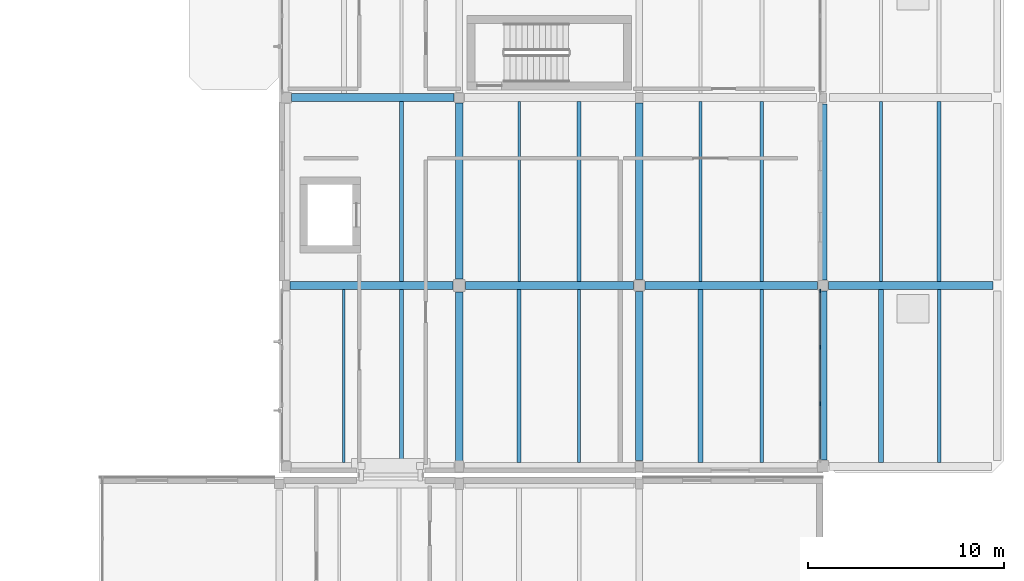
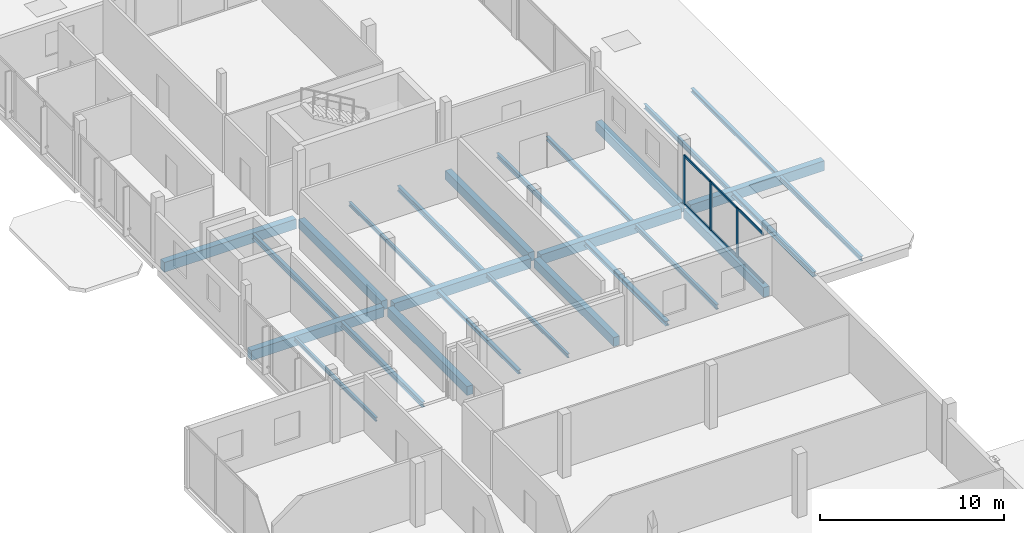
# One storey, part 28 of 66: 26 beams, 9 members, 1 element without a shape of its own.
"""IFC4 building model written with IfcOpenShell, lengths in metres."""

from ifc_helpers import new_model, si_unit, direction, frame, origin, origin_2d, place, context, subcontext, project, spatial, rectangle, i_section, extrude, material, layer, layer_set, material_profile, profile_set, type_object, element, aggregate, save


model = new_model("IFC4")

# Units and contexts
model_context = context("Model", 3, precision=1e-05, world=origin(), true_north=direction((0.0, 1.0)))
body_context = subcontext(model_context, "Body", "Model", "MODEL_VIEW")
ifc_project = project(units=[si_unit("LENGTHUNIT", "METRE"), si_unit("AREAUNIT", "SQUARE_METRE"), si_unit("VOLUMEUNIT", "CUBIC_METRE"), si_unit("PLANEANGLEUNIT", "RADIAN"), si_unit("MASSUNIT", "GRAM", prefix="KILO")], contexts=[model_context])

# Site, building, storey
site_placement = place(None, origin())
site = spatial("IfcSite", under=ifc_project, at=site_placement, CompositionType="ELEMENT")
building_placement = place(site_placement, origin())
building = spatial("IfcBuilding", under=site, at=building_placement, Name="Birchvale Park Specialist Clinic", CompositionType="ELEMENT")
storey_placement = place(building_placement, frame((0.0, 0.0, 5.39990234375)))
storey = spatial("IfcBuildingStorey", under=building, at=storey_placement, Name="L01", CompositionType="ELEMENT", Elevation=5.39990234375)

# Beams
ifc_material_1 = material(Name="Concrete C40/50", Category="concrete")
ifc_material_profile_1 = material_profile(ifc_material_1, rectangle(XDim=0.3798828125, YDim=0.639892578125, at=origin_2d()), Name="RCB-380x640")
ifc_profile_set_1 = profile_set([ifc_material_profile_1], Name="Concrete C40/50")
beam_type_1 = type_object("IfcBeamType", Name="BM-EXT-BG5", PredefinedType="BEAM", material=ifc_profile_set_1)
beam_1_placement = place(storey_placement, frame((155.800048828125, 64.264892578125, -0.619873046875), z_axis=(0.0, 1.0, 0.0), x_axis=(-1.0, 0.0, 0.0)))
element("IfcBeam", 1, at=beam_1_placement, inside=storey, type_object=beam_type_1, Name="V6 L01 Y girder 40", PredefinedType="BEAM", context=body_context, shape_type="SweptSolid", body=[
    extrude(rectangle(XDim=0.3798828125, YDim=0.639892578125, at=origin_2d()), origin(), (0.0, 0.0, 1.0), 8.66015625),
])
beam_2_placement = place(storey_placement, frame((155.800048828125, 73.47509765625, -0.619873046875), z_axis=(0.0, 1.0, 0.0), x_axis=(-1.0, 0.0, 0.0)))
element("IfcBeam", 2, at=beam_2_placement, inside=storey, type_object=beam_type_1, Name="V6 L01 Y girder 41", PredefinedType="BEAM", context=body_context, shape_type="SweptSolid", body=[
    extrude(rectangle(XDim=0.3798828125, YDim=0.639892578125, at=origin_2d()), origin(), (0.0, 0.0, 1.0), 9.0),
])
ifc_material_profile_2 = material_profile(ifc_material_1, rectangle(XDim=0.39990234375, YDim=0.64990234375, at=origin_2d()), Name="RCB-400x650")
ifc_profile_set_2 = profile_set([ifc_material_profile_2], Name="Concrete C40/50")
beam_type_2 = type_object("IfcBeamType", Name="BM-INT-BG4", PredefinedType="BEAM", material=ifc_profile_set_2)
beam_3_placement = place(storey_placement, frame((128.56005859375, 73.199951171875, -0.625), z_axis=(1.0, 0.0, 0.0), x_axis=(0.0, 1.0, 0.0)))
element("IfcBeam", 3, at=beam_3_placement, inside=storey, type_object=beam_type_2, Name="V6 L01 X girder 5", PredefinedType="BEAM", context=body_context, shape_type="SweptSolid", body=[
    extrude(rectangle(XDim=0.39990234375, YDim=0.64990234375, at=origin_2d()), origin(), (0.0, 0.0, 1.0), 8.31494140625),
])
beam_4_placement = place(storey_placement, frame((137.52490234375, 73.199951171875, -0.625), z_axis=(1.0, 0.0, 0.0), x_axis=(0.0, 1.0, 0.0)))
element("IfcBeam", 4, at=beam_4_placement, inside=storey, type_object=beam_type_2, Name="V6 L01 X girder 6", PredefinedType="BEAM", context=body_context, shape_type="SweptSolid", body=[
    extrude(rectangle(XDim=0.39990234375, YDim=0.64990234375, at=origin_2d()), origin(), (0.0, 0.0, 1.0), 8.5751953125),
])
beam_5_placement = place(storey_placement, frame((146.699951171875, 73.199951171875, -0.625), z_axis=(1.0, 0.0, 0.0), x_axis=(0.0, 1.0, 0.0)))
element("IfcBeam", 5, at=beam_5_placement, inside=storey, type_object=beam_type_2, Name="V6 L01 X girder 7", PredefinedType="BEAM", context=body_context, shape_type="SweptSolid", body=[
    extrude(rectangle(XDim=0.39990234375, YDim=0.64990234375, at=origin_2d()), origin(), (0.0, 0.0, 1.0), 8.824951171875),
])
beam_6_placement = place(storey_placement, frame((156.074951171875, 73.199951171875, -0.599853515625), z_axis=(1.0, 0.0, 0.0), x_axis=(0.0, 1.0, 0.0)))
element("IfcBeam", 6, at=beam_6_placement, inside=storey, type_object=beam_type_2, Name="V6 L01 X girder 8", PredefinedType="BEAM", context=body_context, shape_type="SweptSolid", body=[
    extrude(rectangle(XDim=0.39990234375, YDim=0.64990234375, at=origin_2d()), origin(), (0.0, 0.0, 1.0), 8.4150390625),
])
beam_7_placement = place(storey_placement, frame((128.639892578125, 82.800048828125, -0.625), z_axis=(1.0, 0.0, 0.0), x_axis=(0.0, 1.0, 0.0)))
element("IfcBeam", 7, at=beam_7_placement, inside=storey, type_object=beam_type_2, Name="V6 L01 X girder 9", PredefinedType="BEAM", context=body_context, shape_type="SweptSolid", body=[
    extrude(rectangle(XDim=0.39990234375, YDim=0.64990234375, at=origin_2d()), origin(), (0.0, 0.0, 1.0), 8.28515625),
])
ifc_material_profile_3 = material_profile(ifc_material_1, rectangle(XDim=0.3798828125, YDim=0.60009765625, at=origin_2d()), Name="RCB-380x600")
ifc_profile_set_3 = profile_set([ifc_material_profile_3], Name="Concrete C40/50")
beam_type_3 = type_object("IfcBeamType", Name="BM-INT-BG5", PredefinedType="BEAM", material=ifc_profile_set_3)
beam_8_placement = place(storey_placement, frame((137.199951171875, 64.215087890625, -0.599853515625), z_axis=(0.0, 1.0, 0.0), x_axis=(-1.0, 0.0, 0.0)))
element("IfcBeam", 8, at=beam_8_placement, inside=storey, type_object=beam_type_3, Name="V6 L01 Y girder 30", PredefinedType="BEAM", context=body_context, shape_type="SweptSolid", body=[
    extrude(rectangle(XDim=0.3798828125, YDim=0.60009765625, at=origin_2d()), origin(), (0.0, 0.0, 1.0), 8.659912109375),
])
beam_9_placement = place(storey_placement, frame((137.199951171875, 73.52490234375, -0.599853515625), z_axis=(0.0, 1.0, 0.0), x_axis=(-1.0, 0.0, 0.0)))
element("IfcBeam", 9, at=beam_9_placement, inside=storey, type_object=beam_type_3, Name="V6 L01 Y girder 31", PredefinedType="BEAM", context=body_context, shape_type="SweptSolid", body=[
    extrude(rectangle(XDim=0.3798828125, YDim=0.60009765625, at=origin_2d()), origin(), (0.0, 0.0, 1.0), 9.0),
])
beam_10_placement = place(storey_placement, frame((146.39990234375, 64.239990234375, -0.599853515625), z_axis=(0.0, 1.0, 0.0), x_axis=(-1.0, 0.0, 0.0)))
element("IfcBeam", 10, at=beam_10_placement, inside=storey, type_object=beam_type_3, Name="V6 L01 Y girder 35", PredefinedType="BEAM", context=body_context, shape_type="SweptSolid", body=[
    extrude(rectangle(XDim=0.3798828125, YDim=0.60009765625, at=origin_2d()), origin(), (0.0, 0.0, 1.0), 8.659912109375),
])
beam_11_placement = place(storey_placement, frame((146.39990234375, 73.5, -0.599853515625), z_axis=(0.0, 1.0, 0.0), x_axis=(-1.0, 0.0, 0.0)))
element("IfcBeam", 11, at=beam_11_placement, inside=storey, type_object=beam_type_3, Name="V6 L01 Y girder 36", PredefinedType="BEAM", context=body_context, shape_type="SweptSolid", body=[
    extrude(rectangle(XDim=0.3798828125, YDim=0.60009765625, at=origin_2d()), origin(), (0.0, 0.0, 1.0), 9.02490234375),
])

# Curtain wall, members
ifc_material_2 = material(Name="Thermally broken anodised aluminium", Category="aluminium")
ifc_layer = layer(ifc_material_2, 0.2099609375)
ifc_layer_set = layer_set([ifc_layer], Name="Thermally broken anodised aluminium")
curtain_wall_type = type_object("IfcCurtainWallType", Name="CW-U3", PredefinedType="USERDEFINED", material=ifc_layer_set)
curtain_wall_placement = place(storey_placement, origin())
curtain_wall = element("IfcCurtainWall", 12, at=curtain_wall_placement, inside=storey, type_object=curtain_wall_type, Name="V6 L01 glazed curtain wall 95", ObjectType="UNITISED", PredefinedType="USERDEFINED")
ifc_material_profile_4 = material_profile(ifc_material_2, rectangle(XDim=0.070068359375, YDim=0.199951171875, at=origin_2d()), Name="CWM-70x200")
ifc_profile_set_4 = profile_set([ifc_material_profile_4], Name="Thermally broken anodised aluminium")
member_type_1 = type_object("IfcMemberType", Name="CWM3", PredefinedType="MULLION", material=ifc_profile_set_4)
member_1_placement = place(storey_placement, frame((155.655029296875, 67.143310546875, 0.0), z_axis=(0.0, 0.0, 1.0), x_axis=(-1.0, 0.0, 0.0)))
member_1 = element("IfcMember", 13, at=member_1_placement, type_object=member_type_1, Name="CW mullion 2", PredefinedType="MULLION", context=body_context, shape_type="SweptSolid", body=[
    extrude(rectangle(XDim=0.070068359375, YDim=0.199951171875, at=origin_2d()), origin(), (0.0, 0.0, 1.0), 3.2451171875),
])
member_2_placement = place(storey_placement, frame((155.655029296875, 70.046630859375, 0.0), z_axis=(0.0, 0.0, 1.0), x_axis=(-1.0, 0.0, 0.0)))
member_2 = element("IfcMember", 14, at=member_2_placement, type_object=member_type_1, Name="CW mullion 3", PredefinedType="MULLION", context=body_context, shape_type="SweptSolid", body=[
    extrude(rectangle(XDim=0.070068359375, YDim=0.199951171875, at=origin_2d()), origin(), (0.0, 0.0, 1.0), 3.2451171875),
])
member_3_placement = place(storey_placement, frame((155.655029296875, 72.9150390625, 0.0), z_axis=(0.0, 0.0, 1.0), x_axis=(-1.0, 0.0, 0.0)))
member_3 = element("IfcMember", 15, at=member_3_placement, type_object=member_type_1, Name="CW mullion 4", PredefinedType="MULLION", context=body_context, shape_type="SweptSolid", body=[
    extrude(rectangle(XDim=0.070068359375, YDim=0.199951171875, at=origin_2d()), origin(), (0.0, 0.0, 1.0), 3.2451171875),
])
ifc_material_profile_5 = material_profile(ifc_material_2, rectangle(XDim=0.070068359375, YDim=0.14990234375, at=origin_2d()), Name="CWT-70x150")
ifc_profile_set_5 = profile_set([ifc_material_profile_5], Name="Thermally broken anodised aluminium")
member_type_2 = type_object("IfcMemberType", Name="CWT3", PredefinedType="USERDEFINED", material=ifc_profile_set_5)
member_4_placement = place(storey_placement, frame((155.655029296875, 64.31005859375, 0.03515625), z_axis=(0.0, 1.0, 0.0), x_axis=(-1.0, 0.0, 0.0)))
member_4 = element("IfcMember", 16, at=member_4_placement, type_object=member_type_2, Name="CW transom 1.1", ObjectType="TRANSOM", PredefinedType="USERDEFINED", context=body_context, shape_type="SweptSolid", body=[
    extrude(rectangle(XDim=0.070068359375, YDim=0.14990234375, at=origin_2d()), origin(), (0.0, 0.0, 1.0), 2.79833984375),
])
member_5_placement = place(storey_placement, frame((155.655029296875, 64.31005859375, 3.210205078125), z_axis=(0.0, 1.0, 0.0), x_axis=(-1.0, 0.0, 0.0)))
member_5 = element("IfcMember", 17, at=member_5_placement, type_object=member_type_2, Name="CW transom 1.2", ObjectType="TRANSOM", PredefinedType="USERDEFINED", context=body_context, shape_type="SweptSolid", body=[
    extrude(rectangle(XDim=0.070068359375, YDim=0.14990234375, at=origin_2d()), origin(), (0.0, 0.0, 1.0), 2.79833984375),
])
member_6_placement = place(storey_placement, frame((155.655029296875, 67.17822265625, 0.03515625), z_axis=(0.0, 1.0, 0.0), x_axis=(-1.0, 0.0, 0.0)))
member_6 = element("IfcMember", 18, at=member_6_placement, type_object=member_type_2, Name="CW transom 2.1", ObjectType="TRANSOM", PredefinedType="USERDEFINED", context=body_context, shape_type="SweptSolid", body=[
    extrude(rectangle(XDim=0.070068359375, YDim=0.14990234375, at=origin_2d()), origin(), (0.0, 0.0, 1.0), 2.83349609375),
])
member_7_placement = place(storey_placement, frame((155.655029296875, 67.17822265625, 3.210205078125), z_axis=(0.0, 1.0, 0.0), x_axis=(-1.0, 0.0, 0.0)))
member_7 = element("IfcMember", 19, at=member_7_placement, type_object=member_type_2, Name="CW transom 2.2", ObjectType="TRANSOM", PredefinedType="USERDEFINED", context=body_context, shape_type="SweptSolid", body=[
    extrude(rectangle(XDim=0.070068359375, YDim=0.14990234375, at=origin_2d()), origin(), (0.0, 0.0, 1.0), 2.83349609375),
])
member_8_placement = place(storey_placement, frame((155.655029296875, 70.081787109375, 0.03515625), z_axis=(0.0, 1.0, 0.0), x_axis=(-1.0, 0.0, 0.0)))
member_8 = element("IfcMember", 20, at=member_8_placement, type_object=member_type_2, Name="CW transom 3.1", ObjectType="TRANSOM", PredefinedType="USERDEFINED", context=body_context, shape_type="SweptSolid", body=[
    extrude(rectangle(XDim=0.070068359375, YDim=0.14990234375, at=origin_2d()), origin(), (0.0, 0.0, 1.0), 2.798095703125),
])
member_9_placement = place(storey_placement, frame((155.655029296875, 70.081787109375, 3.210205078125), z_axis=(0.0, 1.0, 0.0), x_axis=(-1.0, 0.0, 0.0)))
member_9 = element("IfcMember", 21, at=member_9_placement, type_object=member_type_2, Name="CW transom 3.2", ObjectType="TRANSOM", PredefinedType="USERDEFINED", context=body_context, shape_type="SweptSolid", body=[
    extrude(rectangle(XDim=0.070068359375, YDim=0.14990234375, at=origin_2d()), origin(), (0.0, 0.0, 1.0), 2.798095703125),
])
aggregate(curtain_wall, [member_1, member_2, member_3, member_4, member_5, member_6, member_7, member_8, member_9])

# Beams
ifc_material_3 = material(Name="Steel ASTM A992 Grade 50", Category="steel")
ifc_material_profile_6 = material_profile(ifc_material_3, i_section(OverallWidth=0.2041015625, OverallDepth=0.35107421875, WebThickness=0.008544921875, FlangeThickness=0.01513671875, at=origin_2d()), Name="W14X48")
ifc_profile_set_6 = profile_set([ifc_material_profile_6], Name="Steel ASTM A992 Grade 50")
beam_type_4 = type_object("IfcBeamType", Name="STL-INT-SJ1", PredefinedType="JOIST", material=ifc_profile_set_6)
beam_12_placement = place(storey_placement, frame((134.25, 64.14990234375, -0.475341796875), z_axis=(0.0, 1.0, 0.0), x_axis=(-1.0, 0.0, 0.0)))
element("IfcBeam", 22, at=beam_12_placement, inside=storey, type_object=beam_type_4, Name="V6 L01 secondary floor joist 2", PredefinedType="JOIST", context=body_context, shape_type="SweptSolid", body=[
    extrude(i_section(OverallWidth=0.2041015625, OverallDepth=0.35107421875, WebThickness=0.008544921875, FlangeThickness=0.01513671875, at=origin_2d()), origin(), (0.0, 0.0, 1.0), 8.85009765625),
])
for number, where, z_axis, x_axis, name in (
    (23, (134.25, 73.39990234375, -0.475341796875), (0.0, 1.0, 0.0), (-1.0, 0.0, 0.0), "V6 L01 secondary floor joist 3"),
    (24, (143.333251953125, 73.39990234375, -0.475341796875), (0.0, 1.0, 0.0), (-1.0, 0.0, 0.0), "V6 L01 secondary floor joist 13"),
):
    element("IfcBeam", number, at=place(storey_placement, frame(where, z_axis=z_axis, x_axis=x_axis)), inside=storey, type_object=beam_type_4, Name=name, PredefinedType="JOIST", context=body_context, shape_type="SweptSolid", body=[
        extrude(i_section(OverallWidth=0.2041015625, OverallDepth=0.35107421875, WebThickness=0.008544921875, FlangeThickness=0.01513671875, at=origin_2d()), origin(), (0.0, 0.0, 1.0), 9.2001953125),
    ])
ifc_material_profile_7 = material_profile(ifc_material_3, i_section(OverallWidth=0.25390625, OverallDepth=0.305908203125, WebThickness=0.0087890625, FlangeThickness=0.0146484375, at=origin_2d()), Name="W12X53")
ifc_profile_set_7 = profile_set([ifc_material_profile_7], Name="Steel ASTM A992 Grade 50")
beam_type_5 = type_object("IfcBeamType", Name="STL-INT-SJ2", PredefinedType="JOIST", material=ifc_profile_set_7)
for number, where, z_axis, x_axis, name in (
    (25, (149.533203125, 64.14990234375, -0.452880859375), (0.0, 1.0, 0.0), (-1.0, 0.0, 0.0), "V6 L01 secondary floor joist 18"),
    (26, (158.7666015625, 64.14990234375, -0.427978515625), (0.0, 1.0, 0.0), (-1.0, 0.0, 0.0), "V6 L01 secondary floor joist 28"),
):
    element("IfcBeam", number, at=place(storey_placement, frame(where, z_axis=z_axis, x_axis=x_axis)), inside=storey, type_object=beam_type_5, Name=name, PredefinedType="JOIST", context=body_context, shape_type="SweptSolid", body=[
        extrude(i_section(OverallWidth=0.25390625, OverallDepth=0.305908203125, WebThickness=0.0087890625, FlangeThickness=0.0146484375, at=origin_2d()), origin(), (0.0, 0.0, 1.0), 8.85009765625),
    ])
ifc_material_profile_8 = material_profile(ifc_material_3, i_section(OverallWidth=0.1669921875, OverallDepth=0.31689453125, WebThickness=0.007568359375, FlangeThickness=0.01318359375, at=origin_2d()), Name="W12X35")
ifc_profile_set_8 = profile_set([ifc_material_profile_8], Name="Steel ASTM A992 Grade 50")
beam_type_6 = type_object("IfcBeamType", Name="STL-INT-SJ3", PredefinedType="JOIST", material=ifc_profile_set_8)
beam_13_placement = place(storey_placement, frame((152.666748046875, 64.14990234375, -0.45849609375), z_axis=(0.0, 1.0, 0.0), x_axis=(-1.0, 0.0, 0.0)))
element("IfcBeam", 27, at=beam_13_placement, inside=storey, type_object=beam_type_6, Name="V6 L01 secondary floor joist 19", PredefinedType="JOIST", context=body_context, shape_type="SweptSolid", body=[
    extrude(i_section(OverallWidth=0.1669921875, OverallDepth=0.31689453125, WebThickness=0.007568359375, FlangeThickness=0.01318359375, at=origin_2d()), origin(), (0.0, 0.0, 1.0), 8.85009765625),
])
beam_14_placement = place(storey_placement, frame((149.533203125, 73.39990234375, -0.45849609375), z_axis=(0.0, 1.0, 0.0), x_axis=(-1.0, 0.0, 0.0)))
element("IfcBeam", 28, at=beam_14_placement, inside=storey, type_object=beam_type_6, Name="V6 L01 secondary floor joist 20", PredefinedType="JOIST", context=body_context, shape_type="SweptSolid", body=[
    extrude(i_section(OverallWidth=0.1669921875, OverallDepth=0.31689453125, WebThickness=0.007568359375, FlangeThickness=0.01318359375, at=origin_2d()), origin(), (0.0, 0.0, 1.0), 9.2001953125),
])
beam_15_placement = place(storey_placement, frame((161.7333984375, 64.14990234375, -0.433349609375), z_axis=(0.0, 1.0, 0.0), x_axis=(-1.0, 0.0, 0.0)))
element("IfcBeam", 29, at=beam_15_placement, inside=storey, type_object=beam_type_6, Name="V6 L01 secondary floor joist 29", PredefinedType="JOIST", context=body_context, shape_type="SweptSolid", body=[
    extrude(i_section(OverallWidth=0.1669921875, OverallDepth=0.31689453125, WebThickness=0.007568359375, FlangeThickness=0.01318359375, at=origin_2d()), origin(), (0.0, 0.0, 1.0), 8.85009765625),
])
beam_16_placement = place(storey_placement, frame((158.7666015625, 73.39990234375, -0.433349609375), z_axis=(0.0, 1.0, 0.0), x_axis=(-1.0, 0.0, 0.0)))
element("IfcBeam", 30, at=beam_16_placement, inside=storey, type_object=beam_type_6, Name="V6 L01 secondary floor joist 30", PredefinedType="JOIST", context=body_context, shape_type="SweptSolid", body=[
    extrude(i_section(OverallWidth=0.1669921875, OverallDepth=0.31689453125, WebThickness=0.007568359375, FlangeThickness=0.01318359375, at=origin_2d()), origin(), (0.0, 0.0, 1.0), 9.2001953125),
])
ifc_material_profile_9 = material_profile(ifc_material_3, i_section(OverallWidth=0.202880859375, OverallDepth=0.251953125, WebThickness=0.008056640625, FlangeThickness=0.013427734375, at=origin_2d()), Name="W10X39")
ifc_profile_set_9 = profile_set([ifc_material_profile_9], Name="Steel ASTM A992 Grade 50")
beam_type_7 = type_object("IfcBeamType", Name="STL-INT-SJ4", PredefinedType="JOIST", material=ifc_profile_set_9)
beam_17_placement = place(storey_placement, frame((140.2666015625, 64.14990234375, -0.42578125), z_axis=(0.0, 1.0, 0.0), x_axis=(-1.0, 0.0, 0.0)))
element("IfcBeam", 31, at=beam_17_placement, inside=storey, type_object=beam_type_7, Name="V6 L01 secondary floor joist 10", PredefinedType="JOIST", context=body_context, shape_type="SweptSolid", body=[
    extrude(i_section(OverallWidth=0.202880859375, OverallDepth=0.251953125, WebThickness=0.008056640625, FlangeThickness=0.013427734375, at=origin_2d()), origin(), (0.0, 0.0, 1.0), 8.85009765625),
])
for number, where, z_axis, x_axis, name in (
    (32, (152.666748046875, 73.39990234375, -0.42578125), (0.0, 1.0, 0.0), (-1.0, 0.0, 0.0), "V6 L01 secondary floor joist 21"),
    (33, (161.7333984375, 73.39990234375, -0.40087890625), (0.0, 1.0, 0.0), (-1.0, 0.0, 0.0), "V6 L01 secondary floor joist 31"),
):
    element("IfcBeam", number, at=place(storey_placement, frame(where, z_axis=z_axis, x_axis=x_axis)), inside=storey, type_object=beam_type_7, Name=name, PredefinedType="JOIST", context=body_context, shape_type="SweptSolid", body=[
        extrude(i_section(OverallWidth=0.202880859375, OverallDepth=0.251953125, WebThickness=0.008056640625, FlangeThickness=0.013427734375, at=origin_2d()), origin(), (0.0, 0.0, 1.0), 9.2001953125),
    ])
ifc_material_profile_10 = material_profile(ifc_material_3, i_section(OverallWidth=0.14697265625, OverallDepth=0.261962890625, WebThickness=0.006591796875, FlangeThickness=0.01123046875, at=origin_2d()), Name="W10X26")
ifc_profile_set_10 = profile_set([ifc_material_profile_10], Name="Steel ASTM A992 Grade 50")
beam_type_8 = type_object("IfcBeamType", Name="STL-INT-SJ5", PredefinedType="JOIST", material=ifc_profile_set_10)
for number, where, z_axis, x_axis, name in (
    (34, (131.300048828125, 64.14990234375, -0.430908203125), (0.0, 1.0, 0.0), (-1.0, 0.0, 0.0), "V6 L01 secondary floor joist 1"),
    (35, (143.333251953125, 64.14990234375, -0.430908203125), (0.0, 1.0, 0.0), (-1.0, 0.0, 0.0), "V6 L01 secondary floor joist 11"),
):
    element("IfcBeam", number, at=place(storey_placement, frame(where, z_axis=z_axis, x_axis=x_axis)), inside=storey, type_object=beam_type_8, Name=name, PredefinedType="JOIST", context=body_context, shape_type="SweptSolid", body=[
        extrude(i_section(OverallWidth=0.14697265625, OverallDepth=0.261962890625, WebThickness=0.006591796875, FlangeThickness=0.01123046875, at=origin_2d()), origin(), (0.0, 0.0, 1.0), 8.85009765625),
    ])
beam_18_placement = place(storey_placement, frame((140.2666015625, 73.39990234375, -0.430908203125), z_axis=(0.0, 1.0, 0.0), x_axis=(-1.0, 0.0, 0.0)))
element("IfcBeam", 36, at=beam_18_placement, inside=storey, type_object=beam_type_8, Name="V6 L01 secondary floor joist 12", PredefinedType="JOIST", context=body_context, shape_type="SweptSolid", body=[
    extrude(i_section(OverallWidth=0.14697265625, OverallDepth=0.261962890625, WebThickness=0.006591796875, FlangeThickness=0.01123046875, at=origin_2d()), origin(), (0.0, 0.0, 1.0), 9.2001953125),
])

save(model, "model.ifc")
